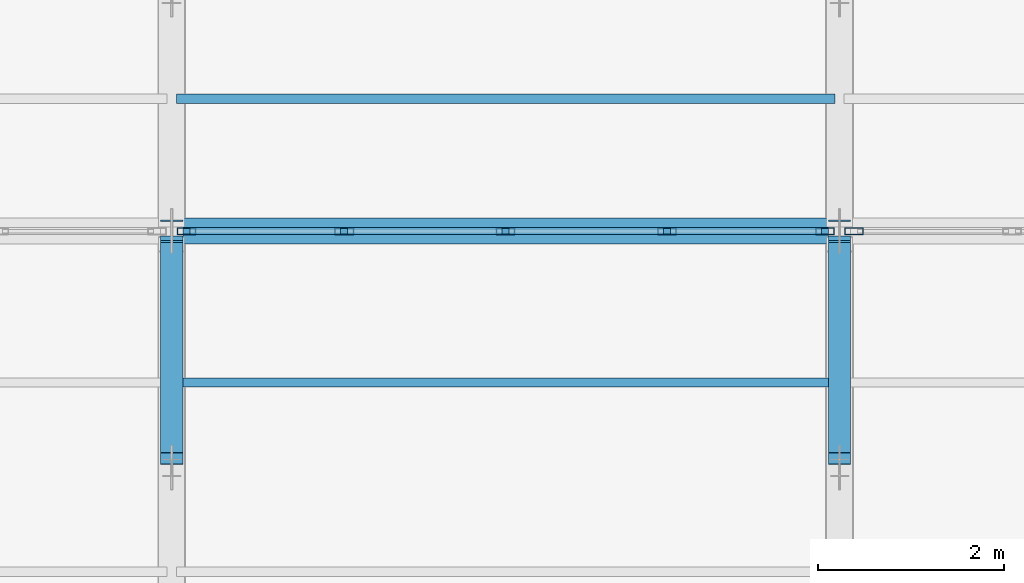
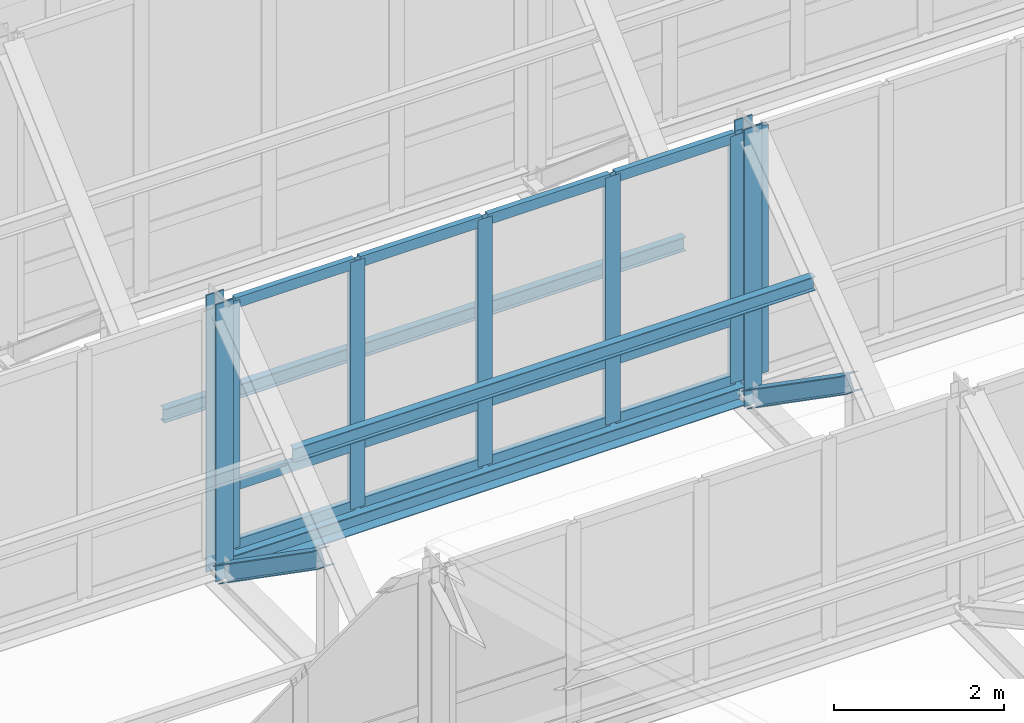
# One storey, part 27 of 157: 24 members, 1 beam, 2 elements without a shape of their own.
"""IFC4 building model written with IfcOpenShell, lengths in metres."""

import ifcopenshell
import ifcopenshell.guid

model = None  # the IFC model being written
_history = None  # IfcOwnerHistory: only IFC2X3 demands one
_inside = {}  # id of a spatial element -> (the spatial element, [elements in it])
_under = {}  # id of a project, library or spatial element -> (it, [spatial elements below it])
_declared = {}  # id of a project -> (the project, [libraries it declares])
_typed = {}  # id of a type object -> (the type object, [elements of that type])
_made_of = {}  # id of a material, layer set ... -> (it, [elements and type objects made of it])


def new_model(schema):
    """Start an empty IFC model of exactly this schema.

    Asked for "IFC4X3", IfcOpenShell would pick the latest addendum, in which some entities
    have other attributes; the version numbers below select the first issue.
    IFC2X3 requires an IfcOwnerHistory on every rooted entity: one is made here for all.
    """
    global model, _history
    if schema == "IFC4X3":
        model = ifcopenshell.file(schema_version=(4, 3, 0, 0))
    else:
        model = ifcopenshell.file(schema=schema)
    _inside.clear()
    _under.clear()
    _declared.clear()
    _typed.clear()
    _made_of.clear()
    _history = None
    if model.schema == "IFC2X3":
        org = make("IfcOrganization", Name="unknown")
        user = make(
            "IfcPersonAndOrganization",
            ThePerson=make("IfcPerson", FamilyName="unknown"),
            TheOrganization=org,
        )
        app = make(
            "IfcApplication",
            ApplicationDeveloper=org,
            Version="unknown",
            ApplicationFullName="unknown",
            ApplicationIdentifier="unknown",
        )
        _history = make(
            "IfcOwnerHistory",
            OwningUser=user,
            OwningApplication=app,
            ChangeAction="ADDED",
            CreationDate=0,
        )
    return model


def make(cls, **values):
    """One entity of the class cls with the attributes given. An attribute that is None is left unset."""
    return model.create_entity(
        cls, **{name: value for name, value in values.items() if value is not None}
    )


def rooted(cls, **values):
    """An entity with a GlobalId (a new one), such as an element, a storey or a relation."""
    return make(cls, GlobalId=ifcopenshell.guid.new(), OwnerHistory=_history, **values)


def si_unit(unit_type, name, prefix=None):
    """IfcSIUnit, for example si_unit("LENGTHUNIT", "METRE", prefix="MILLI")."""
    return make("IfcSIUnit", UnitType=unit_type, Prefix=prefix, Name=name)


def assignment(units):
    """IfcUnitAssignment: the units of a project."""
    return None if units is None else make("IfcUnitAssignment", Units=units)


def point(xyz):
    """IfcCartesianPoint."""
    return None if xyz is None else make("IfcCartesianPoint", Coordinates=xyz)


def direction(xyz):
    """IfcDirection."""
    return None if xyz is None else make("IfcDirection", DirectionRatios=xyz)


def frame(location, z_axis=None, x_axis=None):
    """IfcAxis2Placement3D, a coordinate frame: its origin and axes. An axis left out is left unset."""
    return make(
        "IfcAxis2Placement3D",
        Location=point(location),
        Axis=direction(z_axis),
        RefDirection=direction(x_axis),
    )


def frame_2d(location, x_axis=None):
    """IfcAxis2Placement2D, a coordinate frame in the plane: its origin and x axis."""
    return make(
        "IfcAxis2Placement2D", Location=point(location), RefDirection=direction(x_axis)
    )


def origin():
    """The frame at (0, 0, 0) with its axes left unset."""
    return frame((0.0, 0.0, 0.0))


def origin_2d():
    """The frame at (0, 0) in the plane with its x axis left unset."""
    return frame_2d((0.0, 0.0))


def place(relative_to, where):
    """IfcLocalPlacement: puts the frame where relative to a parent placement (None: the world)."""
    return make(
        "IfcLocalPlacement", PlacementRelTo=relative_to, RelativePlacement=where
    )


def context(
    kind, dimensions, precision=None, world=None, true_north=None, identifier=None
):
    """IfcGeometricRepresentationContext, for example the 3D "Model" context."""
    return make(
        "IfcGeometricRepresentationContext",
        ContextIdentifier=identifier,
        ContextType=kind,
        CoordinateSpaceDimension=dimensions,
        Precision=precision,
        WorldCoordinateSystem=world,
        TrueNorth=true_north,
    )


def subcontext(parent, identifier, kind, view, scale=None):
    """IfcGeometricRepresentationSubContext, for example "Body" below "Model"."""
    return make(
        "IfcGeometricRepresentationSubContext",
        ContextIdentifier=identifier,
        ContextType=kind,
        ParentContext=parent,
        TargetScale=scale,
        TargetView=view,
    )


def project(units=None, contexts=None):
    """IfcProject with its units and contexts."""
    return rooted(
        "IfcProject",
        Name="project",
        RepresentationContexts=contexts,
        UnitsInContext=assignment(units),
    )


def spatial(cls, under=None, at=None, **own):
    """A site, building, storey or space (cls), placed at a placement, below another one or the project."""
    s = rooted(cls, ObjectPlacement=at, **own)
    if under is not None:
        _under.setdefault(under.id(), (under, []))[1].append(s)
    return s


def profile(cls, at=None, kind="AREA", **sizes):
    """A parametric profile (cls). Its sizes go by their IFC names, for example OverallWidth=200.0."""
    return make(cls, ProfileType=kind, Position=at, **sizes)


def hollow_rectangle(**sizes):
    """IfcRectangleHollowProfileDef."""
    return profile("IfcRectangleHollowProfileDef", **sizes)


def i_section(**sizes):
    """IfcIShapeProfileDef."""
    return profile("IfcIShapeProfileDef", **sizes)


def extrude(swept, where, along, depth):
    """IfcExtrudedAreaSolid: the profile swept, set in the frame where, extruded along a direction by depth."""
    return make(
        "IfcExtrudedAreaSolid",
        SweptArea=swept,
        Position=where,
        ExtrudedDirection=direction(along),
        Depth=depth,
    )


def shape(context_of_items, identifier, shape_type, items):
    """IfcShapeRepresentation: the items that make up one representation, for example the "Body"."""
    return make(
        "IfcShapeRepresentation",
        ContextOfItems=context_of_items,
        RepresentationIdentifier=identifier,
        RepresentationType=shape_type,
        Items=items,
    )


def material(Name=None, Category=None):
    """IfcMaterial."""
    return make("IfcMaterial", Name=Name, Category=Category)


def material_profile(
    of_material, cross_section, Name=None, Category=None, Priority=None
):
    """IfcMaterialProfile: a cross section and its material."""
    return make(
        "IfcMaterialProfile",
        Name=Name,
        Material=of_material,
        Profile=cross_section,
        Priority=Priority,
        Category=Category,
    )


def profile_set(profiles, Name=None, composite=None):
    """IfcMaterialProfileSet."""
    return make(
        "IfcMaterialProfileSet",
        Name=Name,
        MaterialProfiles=profiles,
        CompositeProfile=composite,
    )


def made_of(thing, what):
    """Note that an element or type object is made of a material, layer set ...; save() writes the relation."""
    if what is not None:
        _made_of.setdefault(what.id(), (what, []))[1].append(thing)
    return thing


def type_object(cls, material=None, **own):
    """A type object (cls), such as IfcWallType, which elements share."""
    return made_of(rooted(cls, **own), material)


def element(
    cls,
    number,
    at=None,
    inside=None,
    cuts=None,
    type_object=None,
    material=None,
    context=None,
    identifier="Body",
    shape_type=None,
    held_by="IfcProductDefinitionShape",
    body=None,
    shapes=None,
    **own,
):
    """One element of the class cls, such as IfcWall. Its Tag is "e" and its number.

    at: its placement. inside: the storey or other place that contains it. cuts: it is an
    opening in that element (IfcRelVoidsElement). A single representation is given by context,
    identifier, shape_type and body (its items); several are given by shapes. held_by: the class
    of the entity that holds the representations. save() writes the other relations.
    """
    e = rooted(cls, Tag="e%d" % number, ObjectPlacement=at, **own)
    if body is not None:
        shapes = [shape(context, identifier, shape_type, body)]
    if shapes is not None:
        e.Representation = make(held_by, Representations=shapes)
    if inside is not None:
        _inside.setdefault(inside.id(), (inside, []))[1].append(e)
    if cuts is not None:
        rooted(
            "IfcRelVoidsElement", RelatingBuildingElement=cuts, RelatedOpeningElement=e
        )
    if type_object is not None:
        _typed.setdefault(type_object.id(), (type_object, []))[1].append(e)
    return made_of(e, material)


def aggregate(whole, parts):
    """IfcRelAggregates: a whole, such as a stair, and the parts it consists of."""
    return rooted("IfcRelAggregates", RelatingObject=whole, RelatedObjects=parts)


def save(model, path):
    """Write the relations noted so far, then the file.

    IfcRelAggregates (storeys below a building ...), IfcRelContainedInSpatialStructure (elements
    in a storey), IfcRelDefinesByType, IfcRelAssociatesMaterial and IfcRelDeclares: one each for
    every whole, place, type object, material and project.
    """
    for whole, parts in _under.values():
        aggregate(whole, parts)
    for where, things in _inside.values():
        rooted(
            "IfcRelContainedInSpatialStructure",
            RelatedElements=things,
            RelatingStructure=where,
        )
    for kind, things in _typed.values():
        rooted("IfcRelDefinesByType", RelatedObjects=things, RelatingType=kind)
    for what, things in _made_of.values():
        rooted("IfcRelAssociatesMaterial", RelatedObjects=things, RelatingMaterial=what)
    for by, libraries in _declared.values():
        rooted("IfcRelDeclares", RelatingContext=by, RelatedDefinitions=libraries)
    model.write(path)


model = new_model("IFC4")

# Units and contexts
model_context = context("Model", 3, precision=1e-05, world=origin(), true_north=direction((0.0, 1.0)))
body_context = subcontext(model_context, "Body", "Model", "MODEL_VIEW")
ifc_project = project(units=[si_unit("LENGTHUNIT", "METRE"), si_unit("AREAUNIT", "SQUARE_METRE"), si_unit("VOLUMEUNIT", "CUBIC_METRE"), si_unit("PLANEANGLEUNIT", "RADIAN"), si_unit("MASSUNIT", "GRAM", prefix="KILO")], contexts=[model_context])

# Site, building, storey
site_placement = place(None, origin())
site = spatial("IfcSite", under=ifc_project, at=site_placement, CompositionType="ELEMENT")
building_placement = place(site_placement, origin())
building = spatial("IfcBuilding", under=site, at=building_placement, Name="Suanplinth Sawtooth Commons", CompositionType="ELEMENT")
storey_placement = place(building_placement, frame((0.0, 0.0, 9.0)))
storey = spatial("IfcBuildingStorey", under=building, at=storey_placement, Name="L02", CompositionType="ELEMENT", Elevation=9.0)

# Beam
ifc_material_1 = material(Name="Steel S355JR", Category="steel")
ifc_material_profile_1 = material_profile(ifc_material_1, i_section(OverallWidth=0.280029296875, OverallDepth=0.27001953125, WebThickness=0.008056640625, FlangeThickness=0.012939453125, at=origin_2d()), Name="HEA 280")
ifc_profile_set_1 = profile_set([ifc_material_profile_1], Name="Steel S355JR")
beam_type = type_object("IfcBeamType", Name="B-16", PredefinedType="USERDEFINED", material=ifc_profile_set_1)
beam_placement = place(storey_placement, frame((86.52001953125, 60.60009765625, 2.820068359375), z_axis=(1.0, 0.0, 0.0), x_axis=(0.0, 1.0, 0.0)))
element("IfcBeam", 1, at=beam_placement, inside=storey, type_object=beam_type, Name="Sawtooth Valley Girder T3-B4", ObjectType="GIRDER", PredefinedType="USERDEFINED", context=body_context, shape_type="SweptSolid", body=[
    extrude(i_section(OverallWidth=0.280029296875, OverallDepth=0.27001953125, WebThickness=0.008056640625, FlangeThickness=0.012939453125, at=origin_2d()), origin(), (0.0, 0.0, 1.0), 6.9599609375),
])

# Members
ifc_material_profile_2 = material_profile(ifc_material_1, i_section(OverallWidth=0.239990234375, OverallDepth=0.22998046875, WebThickness=0.007568359375, FlangeThickness=0.011962890625, at=origin_2d()), Name="HEA 240")
ifc_profile_set_2 = profile_set([ifc_material_profile_2], Name="Steel S355JR")
member_type_1 = type_object("IfcMemberType", Name="M-03", PredefinedType="BRACE", material=ifc_profile_set_2)
for number, where, z_axis, x_axis, name in (
    (2, (86.39990234375, 58.14990234375, 4.3701171875), (0.0, 0.821038438566, -0.570872912649), (-1.0, 0.0, 0.0), "Sawtooth Truss T4 Web Diagonal 2"),
    (3, (93.60009765625, 58.14990234375, 4.3701171875), (0.0, 0.821038438566, -0.570872912649), (-1.0, 0.0, 0.0), "Sawtooth Truss T5 Web Diagonal 2"),
):
    element("IfcMember", number, at=place(storey_placement, frame(where, z_axis=z_axis, x_axis=x_axis)), inside=storey, type_object=member_type_1, Name=name, PredefinedType="BRACE", context=body_context, shape_type="SweptSolid", body=[
        extrude(i_section(OverallWidth=0.239990234375, OverallDepth=0.22998046875, WebThickness=0.007568359375, FlangeThickness=0.011962890625, at=origin_2d()), origin(), (0.0, 0.0, 1.0), 2.837890625),
    ])
ifc_material_profile_3 = material_profile(ifc_material_1, i_section(OverallWidth=0.239990234375, OverallDepth=0.239990234375, WebThickness=0.010009765625, FlangeThickness=0.01708984375, at=origin_2d()), Name="HEB 240")
ifc_profile_set_3 = profile_set([ifc_material_profile_3], Name="Steel S355JR")
member_type_2 = type_object("IfcMemberType", Name="M-05", PredefinedType="POST", material=ifc_profile_set_3)
for number, where, z_axis, x_axis, name in (
    (4, (86.39990234375, 60.60009765625, 2.64990234375), (0.0, 0.0, 1.0), (1.0, 0.0, 0.0), "Sawtooth Truss T4 Clerestory Post 2"),
    (5, (93.60009765625, 60.60009765625, 2.64990234375), (0.0, 0.0, 1.0), (1.0, 0.0, 0.0), "Sawtooth Truss T5 Clerestory Post 2"),
):
    element("IfcMember", number, at=place(storey_placement, frame(where, z_axis=z_axis, x_axis=x_axis)), inside=storey, type_object=member_type_2, Name=name, PredefinedType="POST", context=body_context, shape_type="SweptSolid", body=[
        extrude(i_section(OverallWidth=0.239990234375, OverallDepth=0.239990234375, WebThickness=0.010009765625, FlangeThickness=0.01708984375, at=origin_2d()), origin(), (0.0, 0.0, 1.0), 3.989990234375),
    ])
ifc_material_2 = material(Name="Steel SS400", Category="steel")
ifc_material_profile_4 = material_profile(ifc_material_2, i_section(OverallWidth=0.10009765625, OverallDepth=0.199951171875, WebThickness=0.005615234375, FlangeThickness=0.008544921875, at=origin_2d()), Name="IPE 200")
ifc_profile_set_4 = profile_set([ifc_material_profile_4], Name="Steel SS400")
member_type_3 = type_object("IfcMemberType", Name="M-06", PredefinedType="PURLIN", material=ifc_profile_set_4)
for number, where, z_axis, x_axis, name in (
    (6, (86.449951171875, 58.968017578125, 5.353515625), (1.0, 0.0, 0.0), (0.0, 1.0, 0.0), "Sawtooth Roof Purlin T2-B4-P2"),
    (7, (86.449951171875, 62.028076171875, 4.067138671875), (1.0, 0.0, 0.0), (0.0, 1.0, 0.0), "Sawtooth Roof Purlin T3-B4-P1"),
):
    element("IfcMember", number, at=place(storey_placement, frame(where, z_axis=z_axis, x_axis=x_axis)), inside=storey, type_object=member_type_3, Name=name, PredefinedType="PURLIN", context=body_context, shape_type="SweptSolid", body=[
        extrude(i_section(OverallWidth=0.10009765625, OverallDepth=0.199951171875, WebThickness=0.005615234375, FlangeThickness=0.008544921875, at=origin_2d()), origin(), (0.0, 0.0, 1.0), 7.10009765625),
    ])

# Curtain wall, members
ifc_material_3 = material(Name="Anodized aluminium and low-E glazing", Category="aluminium")
curtain_wall_type = type_object("IfcCurtainWallType", Name="CW-03", PredefinedType="USERDEFINED", material=ifc_material_3)
curtain_wall_1_placement = place(storey_placement, origin())
curtain_wall_1 = element("IfcCurtainWall", 8, at=curtain_wall_1_placement, inside=storey, type_object=curtain_wall_type, Name="Curtain Wall CW-SAW-T2-B4", ObjectType="CURTAIN WALL", PredefinedType="USERDEFINED")
ifc_material_4 = material(Name="Anodized aluminium 6063-T6", Category="aluminium")
ifc_material_profile_5 = material_profile(ifc_material_4, hollow_rectangle(XDim=0.074951171875, YDim=0.199951171875, WallThickness=0.0048828125, at=origin_2d()), Name="ALU-MUL 75x200")
ifc_profile_set_5 = profile_set([ifc_material_profile_5], Name="Anodized aluminium 6063-T6")
member_type_4 = type_object("IfcMemberType", Name="M-14", PredefinedType="MULLION", material=ifc_profile_set_5)
member_1_placement = place(storey_placement, frame((86.5576171875, 60.60009765625, 2.97998046875), z_axis=(0.0, 0.0, 1.0), x_axis=(0.0, 1.0, 0.0)))
member_1 = element("IfcMember", 9, at=member_1_placement, type_object=member_type_4, Name="CW-03 mullion 1", PredefinedType="MULLION", context=body_context, shape_type="SweptSolid", body=[
    extrude(hollow_rectangle(XDim=0.074951171875, YDim=0.199951171875, WallThickness=0.0048828125, at=origin_2d()), origin(), (0.0, 0.0, 1.0), 3.56005859375),
])
member_2_placement = place(storey_placement, frame((88.260009765625, 60.60009765625, 2.97998046875), z_axis=(0.0, 0.0, 1.0), x_axis=(0.0, 1.0, 0.0)))
member_2 = element("IfcMember", 10, at=member_2_placement, type_object=member_type_4, Name="CW-03 mullion 2", PredefinedType="MULLION", context=body_context, shape_type="SweptSolid", body=[
    extrude(hollow_rectangle(XDim=0.074951171875, YDim=0.199951171875, WallThickness=0.0048828125, at=origin_2d()), origin(), (0.0, 0.0, 1.0), 3.56005859375),
])
member_3_placement = place(storey_placement, frame((90.0, 60.60009765625, 2.97998046875), z_axis=(0.0, 0.0, 1.0), x_axis=(0.0, 1.0, 0.0)))
member_3 = element("IfcMember", 11, at=member_3_placement, type_object=member_type_4, Name="CW-03 mullion 3", PredefinedType="MULLION", context=body_context, shape_type="SweptSolid", body=[
    extrude(hollow_rectangle(XDim=0.074951171875, YDim=0.199951171875, WallThickness=0.0048828125, at=origin_2d()), origin(), (0.0, 0.0, 1.0), 3.56005859375),
])
member_4_placement = place(storey_placement, frame((91.739990234375, 60.60009765625, 2.97998046875), z_axis=(0.0, 0.0, 1.0), x_axis=(0.0, 1.0, 0.0)))
member_4 = element("IfcMember", 12, at=member_4_placement, type_object=member_type_4, Name="CW-03 mullion 4", PredefinedType="MULLION", context=body_context, shape_type="SweptSolid", body=[
    extrude(hollow_rectangle(XDim=0.074951171875, YDim=0.199951171875, WallThickness=0.0048828125, at=origin_2d()), origin(), (0.0, 0.0, 1.0), 3.56005859375),
])
member_5_placement = place(storey_placement, frame((93.4423828125, 60.60009765625, 2.97998046875), z_axis=(0.0, 0.0, 1.0), x_axis=(0.0, 1.0, 0.0)))
member_5 = element("IfcMember", 13, at=member_5_placement, type_object=member_type_4, Name="CW-03 mullion 5", PredefinedType="MULLION", context=body_context, shape_type="SweptSolid", body=[
    extrude(hollow_rectangle(XDim=0.074951171875, YDim=0.199951171875, WallThickness=0.0048828125, at=origin_2d()), origin(), (0.0, 0.0, 1.0), 3.56005859375),
])

# Curtain wall, member
curtain_wall_2_placement = place(storey_placement, origin())
curtain_wall_2 = element("IfcCurtainWall", 14, at=curtain_wall_2_placement, inside=storey, type_object=curtain_wall_type, Name="Curtain Wall CW-SAW-T2-B5", ObjectType="CURTAIN WALL", PredefinedType="USERDEFINED")
member_6_placement = place(storey_placement, frame((93.757568359375, 60.60009765625, 2.97998046875), z_axis=(0.0, 0.0, 1.0), x_axis=(0.0, 1.0, 0.0)))
member_6 = element("IfcMember", 15, at=member_6_placement, type_object=member_type_4, Name="CW-03 mullion 1", PredefinedType="MULLION", context=body_context, shape_type="SweptSolid", body=[
    extrude(hollow_rectangle(XDim=0.074951171875, YDim=0.199951171875, WallThickness=0.0048828125, at=origin_2d()), origin(), (0.0, 0.0, 1.0), 3.56005859375),
])
aggregate(curtain_wall_2, [member_6])

# Member
ifc_material_profile_6 = material_profile(ifc_material_4, hollow_rectangle(XDim=0.074951171875, YDim=0.14990234375, WallThickness=0.00439453125, at=origin_2d()), Name="ALU-TRN 75x150")
ifc_profile_set_6 = profile_set([ifc_material_profile_6], Name="Anodized aluminium 6063-T6")
member_type_5 = type_object("IfcMemberType", Name="M-16", PredefinedType="USERDEFINED", material=ifc_profile_set_6)
member_7_placement = place(storey_placement, frame((86.594970703125, 60.60009765625, 3.017578125), z_axis=(1.0, 0.0, 0.0), x_axis=(0.0, 1.0, 0.0)))
member_7 = element("IfcMember", 16, at=member_7_placement, type_object=member_type_5, Name="CW-03 transom 1.1", ObjectType="TRANSOM", PredefinedType="USERDEFINED", context=body_context, shape_type="SweptSolid", body=[
    extrude(hollow_rectangle(XDim=0.074951171875, YDim=0.14990234375, WallThickness=0.00439453125, at=origin_2d()), origin(), (0.0, 0.0, 1.0), 1.62744140625),
])

member_8_placement = place(storey_placement, frame((86.594970703125, 60.60009765625, 3.8798828125), z_axis=(1.0, 0.0, 0.0), x_axis=(0.0, 1.0, 0.0)))
member_8 = element("IfcMember", 17, at=member_8_placement, type_object=member_type_5, Name="CW-03 transom 1.2", ObjectType="TRANSOM", PredefinedType="USERDEFINED", context=body_context, shape_type="SweptSolid", body=[
    extrude(hollow_rectangle(XDim=0.074951171875, YDim=0.14990234375, WallThickness=0.00439453125, at=origin_2d()), origin(), (0.0, 0.0, 1.0), 1.62744140625),
])

member_9_placement = place(storey_placement, frame((86.594970703125, 60.60009765625, 6.50244140625), z_axis=(1.0, 0.0, 0.0), x_axis=(0.0, 1.0, 0.0)))
member_9 = element("IfcMember", 18, at=member_9_placement, type_object=member_type_5, Name="CW-03 transom 1.3", ObjectType="TRANSOM", PredefinedType="USERDEFINED", context=body_context, shape_type="SweptSolid", body=[
    extrude(hollow_rectangle(XDim=0.074951171875, YDim=0.14990234375, WallThickness=0.00439453125, at=origin_2d()), origin(), (0.0, 0.0, 1.0), 1.62744140625),
])

member_10_placement = place(storey_placement, frame((88.297607421875, 60.60009765625, 3.017578125), z_axis=(1.0, 0.0, 0.0), x_axis=(0.0, 1.0, 0.0)))
member_10 = element("IfcMember", 19, at=member_10_placement, type_object=member_type_5, Name="CW-03 transom 2.1", ObjectType="TRANSOM", PredefinedType="USERDEFINED", context=body_context, shape_type="SweptSolid", body=[
    extrude(hollow_rectangle(XDim=0.074951171875, YDim=0.14990234375, WallThickness=0.00439453125, at=origin_2d()), origin(), (0.0, 0.0, 1.0), 1.664794921875),
])

member_11_placement = place(storey_placement, frame((88.297607421875, 60.60009765625, 3.8798828125), z_axis=(1.0, 0.0, 0.0), x_axis=(0.0, 1.0, 0.0)))
member_11 = element("IfcMember", 20, at=member_11_placement, type_object=member_type_5, Name="CW-03 transom 2.2", ObjectType="TRANSOM", PredefinedType="USERDEFINED", context=body_context, shape_type="SweptSolid", body=[
    extrude(hollow_rectangle(XDim=0.074951171875, YDim=0.14990234375, WallThickness=0.00439453125, at=origin_2d()), origin(), (0.0, 0.0, 1.0), 1.664794921875),
])

member_12_placement = place(storey_placement, frame((88.297607421875, 60.60009765625, 6.50244140625), z_axis=(1.0, 0.0, 0.0), x_axis=(0.0, 1.0, 0.0)))
member_12 = element("IfcMember", 21, at=member_12_placement, type_object=member_type_5, Name="CW-03 transom 2.3", ObjectType="TRANSOM", PredefinedType="USERDEFINED", context=body_context, shape_type="SweptSolid", body=[
    extrude(hollow_rectangle(XDim=0.074951171875, YDim=0.14990234375, WallThickness=0.00439453125, at=origin_2d()), origin(), (0.0, 0.0, 1.0), 1.664794921875),
])

member_13_placement = place(storey_placement, frame((90.03759765625, 60.60009765625, 3.017578125), z_axis=(1.0, 0.0, 0.0), x_axis=(0.0, 1.0, 0.0)))
member_13 = element("IfcMember", 22, at=member_13_placement, type_object=member_type_5, Name="CW-03 transom 3.1", ObjectType="TRANSOM", PredefinedType="USERDEFINED", context=body_context, shape_type="SweptSolid", body=[
    extrude(hollow_rectangle(XDim=0.074951171875, YDim=0.14990234375, WallThickness=0.00439453125, at=origin_2d()), origin(), (0.0, 0.0, 1.0), 1.664794921875),
])

member_14_placement = place(storey_placement, frame((90.03759765625, 60.60009765625, 3.8798828125), z_axis=(1.0, 0.0, 0.0), x_axis=(0.0, 1.0, 0.0)))
member_14 = element("IfcMember", 23, at=member_14_placement, type_object=member_type_5, Name="CW-03 transom 3.2", ObjectType="TRANSOM", PredefinedType="USERDEFINED", context=body_context, shape_type="SweptSolid", body=[
    extrude(hollow_rectangle(XDim=0.074951171875, YDim=0.14990234375, WallThickness=0.00439453125, at=origin_2d()), origin(), (0.0, 0.0, 1.0), 1.664794921875),
])

member_15_placement = place(storey_placement, frame((90.03759765625, 60.60009765625, 6.50244140625), z_axis=(1.0, 0.0, 0.0), x_axis=(0.0, 1.0, 0.0)))
member_15 = element("IfcMember", 24, at=member_15_placement, type_object=member_type_5, Name="CW-03 transom 3.3", ObjectType="TRANSOM", PredefinedType="USERDEFINED", context=body_context, shape_type="SweptSolid", body=[
    extrude(hollow_rectangle(XDim=0.074951171875, YDim=0.14990234375, WallThickness=0.00439453125, at=origin_2d()), origin(), (0.0, 0.0, 1.0), 1.664794921875),
])

member_16_placement = place(storey_placement, frame((91.777587890625, 60.60009765625, 3.017578125), z_axis=(1.0, 0.0, 0.0), x_axis=(0.0, 1.0, 0.0)))
member_16 = element("IfcMember", 25, at=member_16_placement, type_object=member_type_5, Name="CW-03 transom 4.1", ObjectType="TRANSOM", PredefinedType="USERDEFINED", context=body_context, shape_type="SweptSolid", body=[
    extrude(hollow_rectangle(XDim=0.074951171875, YDim=0.14990234375, WallThickness=0.00439453125, at=origin_2d()), origin(), (0.0, 0.0, 1.0), 1.62744140625),
])

member_17_placement = place(storey_placement, frame((91.777587890625, 60.60009765625, 3.8798828125), z_axis=(1.0, 0.0, 0.0), x_axis=(0.0, 1.0, 0.0)))
member_17 = element("IfcMember", 26, at=member_17_placement, type_object=member_type_5, Name="CW-03 transom 4.2", ObjectType="TRANSOM", PredefinedType="USERDEFINED", context=body_context, shape_type="SweptSolid", body=[
    extrude(hollow_rectangle(XDim=0.074951171875, YDim=0.14990234375, WallThickness=0.00439453125, at=origin_2d()), origin(), (0.0, 0.0, 1.0), 1.62744140625),
])

member_18_placement = place(storey_placement, frame((91.777587890625, 60.60009765625, 6.50244140625), z_axis=(1.0, 0.0, 0.0), x_axis=(0.0, 1.0, 0.0)))
member_18 = element("IfcMember", 27, at=member_18_placement, type_object=member_type_5, Name="CW-03 transom 4.3", ObjectType="TRANSOM", PredefinedType="USERDEFINED", context=body_context, shape_type="SweptSolid", body=[
    extrude(hollow_rectangle(XDim=0.074951171875, YDim=0.14990234375, WallThickness=0.00439453125, at=origin_2d()), origin(), (0.0, 0.0, 1.0), 1.62744140625),
])

aggregate(curtain_wall_1, [member_1, member_2, member_3, member_4, member_5, member_7, member_8, member_9, member_10, member_11, member_12, member_13, member_14, member_15, member_16, member_17, member_18])

save(model, "model.ifc")
